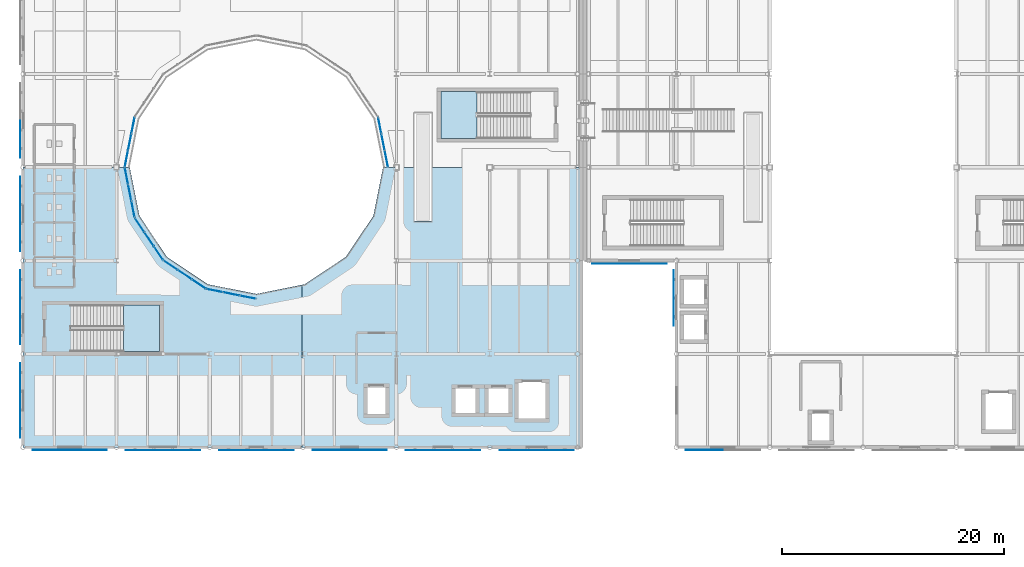
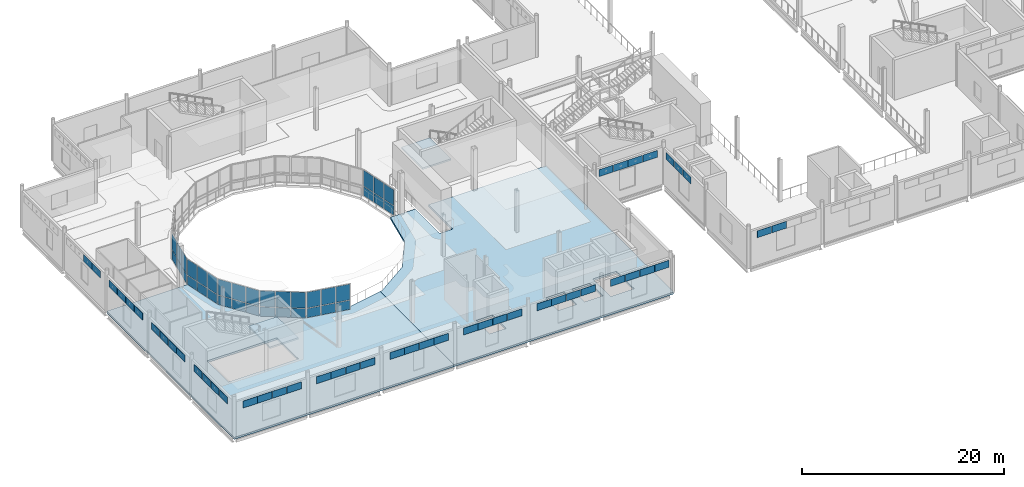
# One storey, part 59 of 104: 83 plates, 4 slabs, 8 elements without a shape of their own.
"""IFC4 building model written with IfcOpenShell, lengths in metres."""

from ifc_helpers import new_model, si_unit, direction, frame, origin, origin_2d, place, context, subcontext, project, spatial, polyline, rectangle, outline, extrude, material, layer, layer_set, type_object, element, aggregate, save


model = new_model("IFC4")

# Units and contexts
model_context = context("Model", 3, precision=1e-05, world=origin(), true_north=direction((0.0, 1.0)))
body_context = subcontext(model_context, "Body", "Model", "MODEL_VIEW")
ifc_project = project(units=[si_unit("LENGTHUNIT", "METRE"), si_unit("AREAUNIT", "SQUARE_METRE"), si_unit("VOLUMEUNIT", "CUBIC_METRE"), si_unit("PLANEANGLEUNIT", "RADIAN"), si_unit("MASSUNIT", "GRAM", prefix="KILO"), si_unit("THERMODYNAMICTEMPERATUREUNIT", "KELVIN")], contexts=[model_context])

# Site, building, storey
site_placement = place(None, origin())
site = spatial("IfcSite", under=ifc_project, at=site_placement, CompositionType="ELEMENT")
building_placement = place(site_placement, origin())
building = spatial("IfcBuilding", under=site, at=building_placement, Name="Lustrewick Department Store", CompositionType="ELEMENT")
storey_placement = place(building_placement, frame((0.0, 0.0, 11.39990234375)))
storey = spatial("IfcBuildingStorey", under=building, at=storey_placement, Name="L03", CompositionType="ELEMENT", Elevation=11.39990234375)

# Curtain wall, plates
ifc_material_1 = material(Name="Thermally broken aluminium 6063-T5", Category="aluminium")
ifc_layer_1 = layer(ifc_material_1, 0.169921875, Name="Thermally broken aluminium 6063-T5")
ifc_layer_set_1 = layer_set([ifc_layer_1], Name="Thermally broken aluminium 6063-T5")
curtain_wall_type_1 = type_object("IfcCurtainWallType", Name="CW16", PredefinedType="NOTDEFINED", material=ifc_layer_set_1)
curtain_wall_1_placement = place(storey_placement, origin())
curtain_wall_1 = element("IfcCurtainWall", 1, at=curtain_wall_1_placement, inside=storey, type_object=curtain_wall_type_1, Name="L03 Atrium Glazed Screen CW16", PredefinedType="NOTDEFINED")
ifc_material_2 = material(Name="Fire-protective atrium safety glass", Category="glass")
ifc_layer_2 = layer(ifc_material_2, 0.02490234375, Name="Fire-protective atrium safety glass")
ifc_layer_set_2 = layer_set([ifc_layer_2], Name="Fire-protective atrium safety glass")
plate_type_1 = type_object("IfcPlateType", Name="CP06", PredefinedType="CURTAIN_PANEL", material=ifc_layer_set_2)
plate_1_placement = place(storey_placement, frame((17.70361328125, 66.42822265625, 0.065185546875), z_axis=(0.0, 0.0, 1.0), x_axis=(0.195084537521, -0.980786430993, 0.0)))
plate_1 = element("IfcPlate", 2, at=plate_1_placement, type_object=plate_type_1, Name="CW16 panel 1.1", PredefinedType="CURTAIN_PANEL", context=body_context, shape_type="SweptSolid", body=[
    extrude(rectangle(XDim=1.443603515625, YDim=0.02490234375, at=origin_2d()), origin(), (0.0, 0.0, 1.0), 1.1025390625),
])
plate_2_placement = place(storey_placement, frame((17.70361328125, 66.42822265625, 1.232421875), z_axis=(0.0, 0.0, 1.0), x_axis=(0.195084537521, -0.980786430993, 0.0)))
plate_2 = element("IfcPlate", 3, at=plate_2_placement, type_object=plate_type_1, Name="CW16 panel 1.2", PredefinedType="CURTAIN_PANEL", context=body_context, shape_type="SweptSolid", body=[
    extrude(rectangle(XDim=1.443603515625, YDim=0.02490234375, at=origin_2d()), origin(), (0.0, 0.0, 1.0), 1.902587890625),
])
plate_3_placement = place(storey_placement, frame((18.0009765625, 64.9326171875, 0.065185546875), z_axis=(0.0, 0.0, 1.0), x_axis=(0.195084537521, -0.980786430993, 0.0)))
plate_3 = element("IfcPlate", 4, at=plate_3_placement, type_object=plate_type_1, Name="CW16 panel 2.1", PredefinedType="CURTAIN_PANEL", context=body_context, shape_type="SweptSolid", body=[
    extrude(rectangle(XDim=1.476318359375, YDim=0.02490234375, at=origin_2d()), origin(), (0.0, 0.0, 1.0), 1.1025390625),
])
plate_4_placement = place(storey_placement, frame((18.0009765625, 64.9326171875, 1.232421875), z_axis=(0.0, 0.0, 1.0), x_axis=(0.195084537521, -0.980786430993, 0.0)))
plate_4 = element("IfcPlate", 5, at=plate_4_placement, type_object=plate_type_1, Name="CW16 panel 2.2", PredefinedType="CURTAIN_PANEL", context=body_context, shape_type="SweptSolid", body=[
    extrude(rectangle(XDim=1.476318359375, YDim=0.02490234375, at=origin_2d()), origin(), (0.0, 0.0, 1.0), 1.902587890625),
])
plate_5_placement = place(storey_placement, frame((18.298583984375, 63.43701171875, 0.065185546875), z_axis=(0.0, 0.0, 1.0), x_axis=(0.195084537521, -0.980786430993, 0.0)))
plate_5 = element("IfcPlate", 6, at=plate_5_placement, type_object=plate_type_1, Name="CW16 panel 3.1", PredefinedType="CURTAIN_PANEL", context=body_context, shape_type="SweptSolid", body=[
    extrude(rectangle(XDim=1.443603515625, YDim=0.02490234375, at=origin_2d()), origin(), (0.0, 0.0, 1.0), 1.1025390625),
])
plate_6_placement = place(storey_placement, frame((18.298583984375, 63.43701171875, 1.232421875), z_axis=(0.0, 0.0, 1.0), x_axis=(0.195084537521, -0.980786430993, 0.0)))
plate_6 = element("IfcPlate", 7, at=plate_6_placement, type_object=plate_type_1, Name="CW16 panel 3.2", PredefinedType="CURTAIN_PANEL", context=body_context, shape_type="SweptSolid", body=[
    extrude(rectangle(XDim=1.443603515625, YDim=0.02490234375, at=origin_2d()), origin(), (0.0, 0.0, 1.0), 1.902587890625),
])
aggregate(curtain_wall_1, [plate_1, plate_2, plate_3, plate_4, plate_5, plate_6])

curtain_wall_2_placement = place(storey_placement, origin())
curtain_wall_2 = element("IfcCurtainWall", 8, at=curtain_wall_2_placement, inside=storey, type_object=curtain_wall_type_1, Name="L03 Atrium Glazed Screen CW16", PredefinedType="NOTDEFINED")
plate_7_placement = place(storey_placement, frame((25.636962890625, 56.098388671875, 0.065185546875), z_axis=(0.0, 0.0, 1.0), x_axis=(0.980786430993, -0.195084537521, 0.0)))
plate_7 = element("IfcPlate", 9, at=plate_7_placement, type_object=plate_type_1, Name="CW16 panel 1.1", PredefinedType="CURTAIN_PANEL", context=body_context, shape_type="SweptSolid", body=[
    extrude(rectangle(XDim=1.443603515625, YDim=0.02490234375, at=origin_2d()), origin(), (0.0, 0.0, 1.0), 1.1025390625),
])
plate_8_placement = place(storey_placement, frame((25.636962890625, 56.098388671875, 1.232421875), z_axis=(0.0, 0.0, 1.0), x_axis=(0.980786430993, -0.195084537521, 0.0)))
plate_8 = element("IfcPlate", 10, at=plate_8_placement, type_object=plate_type_1, Name="CW16 panel 1.2", PredefinedType="CURTAIN_PANEL", context=body_context, shape_type="SweptSolid", body=[
    extrude(rectangle(XDim=1.443603515625, YDim=0.02490234375, at=origin_2d()), origin(), (0.0, 0.0, 1.0), 1.902587890625),
])
plate_9_placement = place(storey_placement, frame((27.132568359375, 55.801025390625, 0.065185546875), z_axis=(0.0, 0.0, 1.0), x_axis=(0.980786430993, -0.195084537521, 0.0)))
plate_9 = element("IfcPlate", 11, at=plate_9_placement, type_object=plate_type_1, Name="CW16 panel 2.1", PredefinedType="CURTAIN_PANEL", context=body_context, shape_type="SweptSolid", body=[
    extrude(rectangle(XDim=1.476318359375, YDim=0.02490234375, at=origin_2d()), origin(), (0.0, 0.0, 1.0), 1.1025390625),
])
plate_10_placement = place(storey_placement, frame((27.132568359375, 55.801025390625, 1.232421875), z_axis=(0.0, 0.0, 1.0), x_axis=(0.980786430993, -0.195084537521, 0.0)))
plate_10 = element("IfcPlate", 12, at=plate_10_placement, type_object=plate_type_1, Name="CW16 panel 2.2", PredefinedType="CURTAIN_PANEL", context=body_context, shape_type="SweptSolid", body=[
    extrude(rectangle(XDim=1.476318359375, YDim=0.02490234375, at=origin_2d()), origin(), (0.0, 0.0, 1.0), 1.902587890625),
])
plate_11_placement = place(storey_placement, frame((28.628173828125, 55.50341796875, 0.065185546875), z_axis=(0.0, 0.0, 1.0), x_axis=(0.980786430993, -0.195084537521, 0.0)))
plate_11 = element("IfcPlate", 13, at=plate_11_placement, type_object=plate_type_1, Name="CW16 panel 3.1", PredefinedType="CURTAIN_PANEL", context=body_context, shape_type="SweptSolid", body=[
    extrude(rectangle(XDim=1.443603515625, YDim=0.02490234375, at=origin_2d()), origin(), (0.0, 0.0, 1.0), 1.1025390625),
])
plate_12_placement = place(storey_placement, frame((28.628173828125, 55.50341796875, 1.232421875), z_axis=(0.0, 0.0, 1.0), x_axis=(0.980786430993, -0.195084537521, 0.0)))
plate_12 = element("IfcPlate", 14, at=plate_12_placement, type_object=plate_type_1, Name="CW16 panel 3.2", PredefinedType="CURTAIN_PANEL", context=body_context, shape_type="SweptSolid", body=[
    extrude(rectangle(XDim=1.443603515625, YDim=0.02490234375, at=origin_2d()), origin(), (0.0, 0.0, 1.0), 1.902587890625),
])
aggregate(curtain_wall_2, [plate_7, plate_8, plate_9, plate_10, plate_11, plate_12])

ifc_layer_3 = layer(ifc_material_1, 0.159912109375, Name="Thermally broken aluminium 6063-T5")
ifc_layer_set_3 = layer_set([ifc_layer_3], Name="Thermally broken aluminium 6063-T5")
curtain_wall_type_2 = type_object("IfcCurtainWallType", Name="CW17", PredefinedType="NOTDEFINED", material=ifc_layer_set_3)
curtain_wall_3_placement = place(storey_placement, origin())
curtain_wall_3 = element("IfcCurtainWall", 15, at=curtain_wall_3_placement, inside=storey, type_object=curtain_wall_type_2, Name="L03 Atrium Glazed Screen CW17", PredefinedType="NOTDEFINED")
ifc_layer_4 = layer(ifc_material_2, 0.027099609375, Name="Fire-protective atrium safety glass")
ifc_layer_set_4 = layer_set([ifc_layer_4], Name="Fire-protective atrium safety glass")
plate_type_2 = type_object("IfcPlateType", Name="CP07", PredefinedType="CURTAIN_PANEL", material=ifc_layer_set_4)
plate_13_placement = place(storey_placement, frame((41.0966796875, 67.970458984375, 0.06005859375), z_axis=(0.0, 0.0, 1.0), x_axis=(-0.195084537521, 0.980786430993, 0.0)))
plate_13 = element("IfcPlate", 16, at=plate_13_placement, type_object=plate_type_2, Name="CW17 panel 1.1", PredefinedType="CURTAIN_PANEL", context=body_context, shape_type="SweptSolid", body=[
    extrude(rectangle(XDim=1.451171875, YDim=0.027099609375, at=origin_2d()), origin(), (0.0, 0.0, 1.0), 1.110107421875),
])
plate_14_placement = place(storey_placement, frame((41.0966796875, 67.970458984375, 1.22998046875), z_axis=(0.0, 0.0, 1.0), x_axis=(-0.195084537521, 0.980786430993, 0.0)))
plate_14 = element("IfcPlate", 17, at=plate_14_placement, type_object=plate_type_2, Name="CW17 panel 1.2", PredefinedType="CURTAIN_PANEL", context=body_context, shape_type="SweptSolid", body=[
    extrude(rectangle(XDim=1.451171875, YDim=0.027099609375, at=origin_2d()), origin(), (0.0, 0.0, 1.0), 1.909912109375),
])
plate_15_placement = place(storey_placement, frame((40.799072265625, 69.46728515625, 0.06005859375), z_axis=(0.0, 0.0, 1.0), x_axis=(-0.195084537521, 0.980786430993, 0.0)))
plate_15 = element("IfcPlate", 18, at=plate_15_placement, type_object=plate_type_2, Name="CW17 panel 2.1", PredefinedType="CURTAIN_PANEL", context=body_context, shape_type="SweptSolid", body=[
    extrude(rectangle(XDim=1.481201171875, YDim=0.027099609375, at=origin_2d()), origin(), (0.0, 0.0, 1.0), 1.110107421875),
])
plate_16_placement = place(storey_placement, frame((40.799072265625, 69.46728515625, 1.22998046875), z_axis=(0.0, 0.0, 1.0), x_axis=(-0.195084537521, 0.980786430993, 0.0)))
plate_16 = element("IfcPlate", 19, at=plate_16_placement, type_object=plate_type_2, Name="CW17 panel 2.2", PredefinedType="CURTAIN_PANEL", context=body_context, shape_type="SweptSolid", body=[
    extrude(rectangle(XDim=1.481201171875, YDim=0.027099609375, at=origin_2d()), origin(), (0.0, 0.0, 1.0), 1.909912109375),
])
plate_17_placement = place(storey_placement, frame((40.501220703125, 70.96435546875, 0.06005859375), z_axis=(0.0, 0.0, 1.0), x_axis=(-0.195084537521, 0.980786430993, 0.0)))
plate_17 = element("IfcPlate", 20, at=plate_17_placement, type_object=plate_type_2, Name="CW17 panel 3.1", PredefinedType="CURTAIN_PANEL", context=body_context, shape_type="SweptSolid", body=[
    extrude(rectangle(XDim=1.451171875, YDim=0.027099609375, at=origin_2d()), origin(), (0.0, 0.0, 1.0), 1.110107421875),
])
plate_18_placement = place(storey_placement, frame((40.501220703125, 70.96435546875, 1.22998046875), z_axis=(0.0, 0.0, 1.0), x_axis=(-0.195084537521, 0.980786430993, 0.0)))
plate_18 = element("IfcPlate", 21, at=plate_18_placement, type_object=plate_type_2, Name="CW17 panel 3.2", PredefinedType="CURTAIN_PANEL", context=body_context, shape_type="SweptSolid", body=[
    extrude(rectangle(XDim=1.451171875, YDim=0.027099609375, at=origin_2d()), origin(), (0.0, 0.0, 1.0), 1.909912109375),
])
aggregate(curtain_wall_3, [plate_13, plate_14, plate_15, plate_16, plate_17, plate_18])

curtain_wall_4_placement = place(storey_placement, origin())
curtain_wall_4 = element("IfcCurtainWall", 22, at=curtain_wall_4_placement, inside=storey, type_object=curtain_wall_type_2, Name="L03 Atrium Glazed Screen CW17", PredefinedType="NOTDEFINED")
plate_19_placement = place(storey_placement, frame((18.888427734375, 62.011962890625, 0.06005859375), z_axis=(0.0, 0.0, 1.0), x_axis=(0.555578313862, -0.831464212799, 0.0)))
plate_19 = element("IfcPlate", 23, at=plate_19_placement, type_object=plate_type_2, Name="CW17 panel 1.1", PredefinedType="CURTAIN_PANEL", context=body_context, shape_type="SweptSolid", body=[
    extrude(rectangle(XDim=1.451171875, YDim=0.027099609375, at=origin_2d()), origin(), (0.0, 0.0, 1.0), 1.110107421875),
])
plate_20_placement = place(storey_placement, frame((18.888427734375, 62.011962890625, 1.22998046875), z_axis=(0.0, 0.0, 1.0), x_axis=(0.555578313862, -0.831464212799, 0.0)))
plate_20 = element("IfcPlate", 24, at=plate_20_placement, type_object=plate_type_2, Name="CW17 panel 1.2", PredefinedType="CURTAIN_PANEL", context=body_context, shape_type="SweptSolid", body=[
    extrude(rectangle(XDim=1.451171875, YDim=0.027099609375, at=origin_2d()), origin(), (0.0, 0.0, 1.0), 1.909912109375),
])
plate_21_placement = place(storey_placement, frame((19.736328125, 60.742919921875, 0.06005859375), z_axis=(0.0, 0.0, 1.0), x_axis=(0.555578313862, -0.831464212799, 0.0)))
plate_21 = element("IfcPlate", 25, at=plate_21_placement, type_object=plate_type_2, Name="CW17 panel 2.1", PredefinedType="CURTAIN_PANEL", context=body_context, shape_type="SweptSolid", body=[
    extrude(rectangle(XDim=1.481201171875, YDim=0.027099609375, at=origin_2d()), origin(), (0.0, 0.0, 1.0), 1.110107421875),
])
plate_22_placement = place(storey_placement, frame((19.736328125, 60.742919921875, 1.22998046875), z_axis=(0.0, 0.0, 1.0), x_axis=(0.555578313862, -0.831464212799, 0.0)))
plate_22 = element("IfcPlate", 26, at=plate_22_placement, type_object=plate_type_2, Name="CW17 panel 2.2", PredefinedType="CURTAIN_PANEL", context=body_context, shape_type="SweptSolid", body=[
    extrude(rectangle(XDim=1.481201171875, YDim=0.027099609375, at=origin_2d()), origin(), (0.0, 0.0, 1.0), 1.909912109375),
])
plate_23_placement = place(storey_placement, frame((20.584228515625, 59.47412109375, 0.06005859375), z_axis=(0.0, 0.0, 1.0), x_axis=(0.555578313862, -0.831464212799, 0.0)))
plate_23 = element("IfcPlate", 27, at=plate_23_placement, type_object=plate_type_2, Name="CW17 panel 3.1", PredefinedType="CURTAIN_PANEL", context=body_context, shape_type="SweptSolid", body=[
    extrude(rectangle(XDim=1.451171875, YDim=0.027099609375, at=origin_2d()), origin(), (0.0, 0.0, 1.0), 1.110107421875),
])
plate_24_placement = place(storey_placement, frame((20.584228515625, 59.47412109375, 1.22998046875), z_axis=(0.0, 0.0, 1.0), x_axis=(0.555578313862, -0.831464212799, 0.0)))
plate_24 = element("IfcPlate", 28, at=plate_24_placement, type_object=plate_type_2, Name="CW17 panel 3.2", PredefinedType="CURTAIN_PANEL", context=body_context, shape_type="SweptSolid", body=[
    extrude(rectangle(XDim=1.451171875, YDim=0.027099609375, at=origin_2d()), origin(), (0.0, 0.0, 1.0), 1.909912109375),
])
aggregate(curtain_wall_4, [plate_19, plate_20, plate_21, plate_22, plate_23, plate_24])

ifc_layer_5 = layer(ifc_material_1, 0.14990234375, Name="Thermally broken aluminium 6063-T5")
ifc_layer_set_5 = layer_set([ifc_layer_5], Name="Thermally broken aluminium 6063-T5")
curtain_wall_type_3 = type_object("IfcCurtainWallType", Name="CW18", PredefinedType="NOTDEFINED", material=ifc_layer_set_5)
curtain_wall_5_placement = place(storey_placement, origin())
curtain_wall_5 = element("IfcCurtainWall", 29, at=curtain_wall_5_placement, inside=storey, type_object=curtain_wall_type_3, Name="L03 Atrium Glazed Screen CW18", PredefinedType="NOTDEFINED")
ifc_material_3 = material(Name="Fire-protective arcade safety glass", Category="glass")
ifc_layer_6 = layer(ifc_material_3, 0.029052734375, Name="Fire-protective arcade safety glass")
ifc_layer_set_6 = layer_set([ifc_layer_6], Name="Fire-protective arcade safety glass")
plate_type_3 = type_object("IfcPlateType", Name="CP08", PredefinedType="CURTAIN_PANEL", material=ifc_layer_set_6)
plate_25_placement = place(storey_placement, frame((18.298828125, 70.96435546875, 0.06005859375), z_axis=(0.0, 0.0, 1.0), x_axis=(-0.195084537521, -0.980786430993, 0.0)))
plate_25 = element("IfcPlate", 30, at=plate_25_placement, type_object=plate_type_3, Name="CW18 panel 1.1", PredefinedType="CURTAIN_PANEL", context=body_context, shape_type="SweptSolid", body=[
    extrude(rectangle(XDim=1.451171875, YDim=0.029052734375, at=origin_2d()), origin(), (0.0, 0.0, 1.0), 1.110107421875),
])
plate_26_placement = place(storey_placement, frame((18.298828125, 70.96435546875, 1.22998046875), z_axis=(0.0, 0.0, 1.0), x_axis=(-0.195084537521, -0.980786430993, 0.0)))
plate_26 = element("IfcPlate", 31, at=plate_26_placement, type_object=plate_type_3, Name="CW18 panel 1.2", PredefinedType="CURTAIN_PANEL", context=body_context, shape_type="SweptSolid", body=[
    extrude(rectangle(XDim=1.451171875, YDim=0.029052734375, at=origin_2d()), origin(), (0.0, 0.0, 1.0), 1.909912109375),
])
plate_27_placement = place(storey_placement, frame((18.0009765625, 69.46728515625, 0.06005859375), z_axis=(0.0, 0.0, 1.0), x_axis=(-0.195084537521, -0.980786430993, 0.0)))
plate_27 = element("IfcPlate", 32, at=plate_27_placement, type_object=plate_type_3, Name="CW18 panel 2.1", PredefinedType="CURTAIN_PANEL", context=body_context, shape_type="SweptSolid", body=[
    extrude(rectangle(XDim=1.481201171875, YDim=0.029052734375, at=origin_2d()), origin(), (0.0, 0.0, 1.0), 1.110107421875),
])
plate_28_placement = place(storey_placement, frame((18.0009765625, 69.46728515625, 1.22998046875), z_axis=(0.0, 0.0, 1.0), x_axis=(-0.195084537521, -0.980786430993, 0.0)))
plate_28 = element("IfcPlate", 33, at=plate_28_placement, type_object=plate_type_3, Name="CW18 panel 2.2", PredefinedType="CURTAIN_PANEL", context=body_context, shape_type="SweptSolid", body=[
    extrude(rectangle(XDim=1.481201171875, YDim=0.029052734375, at=origin_2d()), origin(), (0.0, 0.0, 1.0), 1.909912109375),
])
plate_29_placement = place(storey_placement, frame((17.703369140625, 67.970458984375, 0.06005859375), z_axis=(0.0, 0.0, 1.0), x_axis=(-0.195084537521, -0.980786430993, 0.0)))
plate_29 = element("IfcPlate", 34, at=plate_29_placement, type_object=plate_type_3, Name="CW18 panel 3.1", PredefinedType="CURTAIN_PANEL", context=body_context, shape_type="SweptSolid", body=[
    extrude(rectangle(XDim=1.451171875, YDim=0.029052734375, at=origin_2d()), origin(), (0.0, 0.0, 1.0), 1.110107421875),
])
plate_30_placement = place(storey_placement, frame((17.703369140625, 67.970458984375, 1.22998046875), z_axis=(0.0, 0.0, 1.0), x_axis=(-0.195084537521, -0.980786430993, 0.0)))
plate_30 = element("IfcPlate", 35, at=plate_30_placement, type_object=plate_type_3, Name="CW18 panel 3.2", PredefinedType="CURTAIN_PANEL", context=body_context, shape_type="SweptSolid", body=[
    extrude(rectangle(XDim=1.451171875, YDim=0.029052734375, at=origin_2d()), origin(), (0.0, 0.0, 1.0), 1.909912109375),
])
aggregate(curtain_wall_5, [plate_25, plate_26, plate_27, plate_28, plate_29, plate_30])

curtain_wall_6_placement = place(storey_placement, origin())
curtain_wall_6 = element("IfcCurtainWall", 36, at=curtain_wall_6_placement, inside=storey, type_object=curtain_wall_type_3, Name="L03 Atrium Glazed Screen CW18", PredefinedType="NOTDEFINED")
plate_31_placement = place(storey_placement, frame((21.674072265625, 58.38427734375, 0.06005859375), z_axis=(0.0, 0.0, 1.0), x_axis=(0.831464212799, -0.555578313862, 0.0)))
plate_31 = element("IfcPlate", 37, at=plate_31_placement, type_object=plate_type_3, Name="CW18 panel 1.1", PredefinedType="CURTAIN_PANEL", context=body_context, shape_type="SweptSolid", body=[
    extrude(rectangle(XDim=1.451171875, YDim=0.029052734375, at=origin_2d()), origin(), (0.0, 0.0, 1.0), 1.110107421875),
])
plate_32_placement = place(storey_placement, frame((21.674072265625, 58.38427734375, 1.22998046875), z_axis=(0.0, 0.0, 1.0), x_axis=(0.831464212799, -0.555578313862, 0.0)))
plate_32 = element("IfcPlate", 38, at=plate_32_placement, type_object=plate_type_3, Name="CW18 panel 1.2", PredefinedType="CURTAIN_PANEL", context=body_context, shape_type="SweptSolid", body=[
    extrude(rectangle(XDim=1.451171875, YDim=0.029052734375, at=origin_2d()), origin(), (0.0, 0.0, 1.0), 1.909912109375),
])
plate_33_placement = place(storey_placement, frame((22.943115234375, 57.536376953125, 0.06005859375), z_axis=(0.0, 0.0, 1.0), x_axis=(0.831464212799, -0.555578313862, 0.0)))
plate_33 = element("IfcPlate", 39, at=plate_33_placement, type_object=plate_type_3, Name="CW18 panel 2.1", PredefinedType="CURTAIN_PANEL", context=body_context, shape_type="SweptSolid", body=[
    extrude(rectangle(XDim=1.481201171875, YDim=0.029052734375, at=origin_2d()), origin(), (0.0, 0.0, 1.0), 1.110107421875),
])
plate_34_placement = place(storey_placement, frame((22.943115234375, 57.536376953125, 1.22998046875), z_axis=(0.0, 0.0, 1.0), x_axis=(0.831464212799, -0.555578313862, 0.0)))
plate_34 = element("IfcPlate", 40, at=plate_34_placement, type_object=plate_type_3, Name="CW18 panel 2.2", PredefinedType="CURTAIN_PANEL", context=body_context, shape_type="SweptSolid", body=[
    extrude(rectangle(XDim=1.481201171875, YDim=0.029052734375, at=origin_2d()), origin(), (0.0, 0.0, 1.0), 1.909912109375),
])
plate_35_placement = place(storey_placement, frame((24.2119140625, 56.6884765625, 0.06005859375), z_axis=(0.0, 0.0, 1.0), x_axis=(0.831464212799, -0.555578313862, 0.0)))
plate_35 = element("IfcPlate", 41, at=plate_35_placement, type_object=plate_type_3, Name="CW18 panel 3.1", PredefinedType="CURTAIN_PANEL", context=body_context, shape_type="SweptSolid", body=[
    extrude(rectangle(XDim=1.451171875, YDim=0.029052734375, at=origin_2d()), origin(), (0.0, 0.0, 1.0), 1.110107421875),
])
plate_36_placement = place(storey_placement, frame((24.2119140625, 56.6884765625, 1.22998046875), z_axis=(0.0, 0.0, 1.0), x_axis=(0.831464212799, -0.555578313862, 0.0)))
plate_36 = element("IfcPlate", 42, at=plate_36_placement, type_object=plate_type_3, Name="CW18 panel 3.2", PredefinedType="CURTAIN_PANEL", context=body_context, shape_type="SweptSolid", body=[
    extrude(rectangle(XDim=1.451171875, YDim=0.029052734375, at=origin_2d()), origin(), (0.0, 0.0, 1.0), 1.909912109375),
])
aggregate(curtain_wall_6, [plate_31, plate_32, plate_33, plate_34, plate_35, plate_36])

# Slabs
ifc_material_4 = material(Name="Concrete C30", Category="concrete")
ifc_layer_7 = layer(ifc_material_4, 0.239990234375, Name="Concrete C30")
ifc_layer_set_7 = layer_set([ifc_layer_7], Name="Concrete C30")
slab_type_1 = type_object("IfcSlabType", Name="FS03", PredefinedType="FLOOR", material=ifc_layer_set_7)
slab_1_placement = place(storey_placement, frame((0.0, 0.0, -0.239990234375)))
element("IfcSlab", 43, at=slab_1_placement, inside=storey, type_object=slab_type_1, Name="L03 V1 Floor Slab FS03", PredefinedType="FLOOR", context=body_context, shape_type="SweptSolid", body=[
    extrude(outline(polyline([(8.39990234375, 42.0), (33.52490234375, 42.0), (33.52490234375, 56.62060546875), (29.39990234375, 55.800048828125), (25.037353515625, 56.667724609375), (21.339111328125, 59.138916015625), (18.867919921875, 62.83740234375), (18.0, 67.199951171875), (8.39990234375, 67.199951171875), (8.39990234375, 42.0)]), holes=[polyline([(12.719970703125, 50.60009765625), (12.719970703125, 54.800048828125), (20.699951171875, 54.800048828125), (20.699951171875, 50.60009765625), (12.719970703125, 50.60009765625)])]), origin(), (0.0, 0.0, 1.0), 0.239990234375),
])
slab_2_placement = place(storey_placement, frame((0.0, 0.0, -0.239990234375)))
element("IfcSlab", 44, at=slab_2_placement, inside=storey, type_object=slab_type_1, Name="L03 V1 Floor Slab FS03", PredefinedType="FLOOR", context=body_context, shape_type="SweptSolid", body=[
    extrude(outline(polyline([(58.64990234375, 42.0), (58.64990234375, 67.199951171875), (45.14990234375, 67.199951171875), (45.14990234375, 62.35009765625), (43.64990234375, 62.35009765625), (43.64990234375, 67.199951171875), (40.800048828125, 67.199951171875), (39.93212890625, 62.83740234375), (37.4609375, 59.138916015625), (33.7626953125, 56.667724609375), (33.52490234375, 56.62060546875), (33.52490234375, 42.0), (58.64990234375, 42.0)]), holes=[polyline([(52.85009765625, 44.449951171875), (52.85009765625, 47.949951171875), (55.550048828125, 47.949951171875), (55.550048828125, 44.449951171875), (52.85009765625, 44.449951171875)]), polyline([(50.14990234375, 44.949951171875), (50.14990234375, 47.449951171875), (52.25, 47.449951171875), (52.25, 44.949951171875), (50.14990234375, 44.949951171875)]), polyline([(47.14990234375, 44.949951171875), (47.14990234375, 47.449951171875), (49.25, 47.449951171875), (49.25, 44.949951171875), (47.14990234375, 44.949951171875)]), polyline([(39.25, 44.85009765625), (39.25, 47.550048828125), (41.14990234375, 47.550048828125), (41.14990234375, 44.85009765625), (39.25, 44.85009765625)])]), origin(), (0.0, 0.0, 1.0), 0.239990234375),
])

# Stair, slab
stair_type = type_object("IfcStairType", Name="ST-H51", PredefinedType="HALF_TURN_STAIR", material=ifc_material_4)
stair_1_placement = place(storey_placement, origin())
stair_1 = element("IfcStair", 45, at=stair_1_placement, inside=storey, type_object=stair_type, Name="L03 Smoke-Proof Exit Stair ST01", PredefinedType="HALF_TURN_STAIR")
ifc_layer_8 = layer(ifc_material_4, 0.199951171875, Name="Concrete C30")
ifc_layer_set_8 = layer_set([ifc_layer_8], Name="Concrete C30")
slab_type_2 = type_object("IfcSlabType", Name="LS01", PredefinedType="LANDING", material=ifc_layer_set_8)
slab_3_placement = place(storey_placement, frame((0.0, 0.0, 2.35009765625)))
slab_3 = element("IfcSlab", 46, at=slab_3_placement, type_object=slab_type_2, Name="ST-H51 landing 1", PredefinedType="LANDING", context=body_context, shape_type="SweptSolid", body=[
    extrude(outline(polyline([(17.449951171875, 50.60009765625), (20.699951171875, 50.60009765625), (20.699951171875, 54.800048828125), (17.449951171875, 54.800048828125), (17.449951171875, 50.60009765625)])), origin(), (0.0, 0.0, 1.0), 0.199951171875),
])
aggregate(stair_1, [slab_3])

stair_2_placement = place(storey_placement, origin())
stair_2 = element("IfcStair", 47, at=stair_2_placement, inside=storey, type_object=stair_type, Name="L03 Smoke-Proof Exit Stair ST02", PredefinedType="HALF_TURN_STAIR")
slab_4_placement = place(storey_placement, frame((0.0, 0.0, 2.35009765625)))
slab_4 = element("IfcSlab", 48, at=slab_4_placement, type_object=slab_type_2, Name="ST-H51 landing 1", PredefinedType="LANDING", context=body_context, shape_type="SweptSolid", body=[
    extrude(outline(polyline([(49.25, 74.0), (46.0, 74.0), (46.0, 69.800048828125), (49.25, 69.800048828125), (49.25, 74.0)])), origin(), (0.0, 0.0, 1.0), 0.199951171875),
])
aggregate(stair_2, [slab_4])

# Plates
ifc_material_5 = material(Name="Perforated white powder-coated aluminium 3003-H24", Category="aluminium")
ifc_layer_9 = layer(ifc_material_5, 0.008056640625, Name="Perforated white powder-coated aluminium 3003-H24")
ifc_layer_set_9 = layer_set([ifc_layer_9], Name="Perforated white powder-coated aluminium 3003-H24")
plate_type_4 = type_object("IfcPlateType", Name="PS01", PredefinedType="SHEET", material=ifc_layer_set_9)
for number, where, z_axis, x_axis, name in (
    (49, (60.4560546875, 58.535888671875, 3.56689453125), (0.0, 0.0, 1.0), (1.0, 0.0, 0.0), "L03 Botanical Filigree Cassette PS01 0354"),
    (50, (62.135986328125, 58.535888671875, 3.56689453125), (0.0, 0.0, 1.0), (1.0, 0.0, 0.0), "L03 Botanical Filigree Cassette PS01 0355"),
    (51, (63.81591796875, 58.535888671875, 3.56689453125), (0.0, 0.0, 1.0), (1.0, 0.0, 0.0), "L03 Botanical Filigree Cassette PS01 0356"),
    (52, (65.49609375, 58.535888671875, 3.56689453125), (0.0, 0.0, 1.0), (1.0, 0.0, 0.0), "L03 Botanical Filigree Cassette PS01 0357"),
    (53, (66.9560546875, 57.11279296875, 3.47705078125), (0.0, 0.0, 1.0), (0.0, -1.0, 0.0), "L03 Botanical Filigree Cassette PS01 0358"),
    (54, (66.9560546875, 55.4326171875, 3.47705078125), (0.0, 0.0, 1.0), (0.0, -1.0, 0.0), "L03 Botanical Filigree Cassette PS01 0359"),
    (55, (66.9560546875, 53.752685546875, 3.47705078125), (0.0, 0.0, 1.0), (0.0, -1.0, 0.0), "L03 Botanical Filigree Cassette PS01 0360"),
):
    element("IfcPlate", number, at=place(storey_placement, frame(where, z_axis=z_axis, x_axis=x_axis)), inside=storey, type_object=plate_type_4, Name=name, PredefinedType="SHEET", context=body_context, shape_type="SweptSolid", body=[
        extrude(rectangle(XDim=1.639892578125, YDim=0.008056640625, at=origin_2d()), origin(), (0.0, 0.0, 1.0), 0.840087890625),
    ])
ifc_material_6 = material(Name="Sage-green enamelled aluminium spandrel 3003-H24", Category="aluminium")
ifc_layer_10 = layer(ifc_material_6, 0.01611328125, Name="Sage-green enamelled aluminium spandrel 3003-H24")
ifc_layer_set_10 = layer_set([ifc_layer_10], Name="Sage-green enamelled aluminium spandrel 3003-H24")
plate_type_5 = type_object("IfcPlateType", Name="PS05", PredefinedType="SHEET", material=ifc_layer_set_10)
for number, where, z_axis, x_axis, name in (
    (56, (8.152099609375, 70.5673828125, 3.56689453125), (0.0, 0.0, 1.0), (0.0, -1.0, 0.0), "L03 Botanical Filigree Cassette PS05 0243"),
    (57, (8.152099609375, 68.88720703125, 3.56689453125), (0.0, 0.0, 1.0), (0.0, -1.0, 0.0), "L03 Botanical Filigree Cassette PS05 0244"),
    (58, (8.14208984375, 65.52001953125, 3.56689453125), (0.0, 0.0, 1.0), (0.0, -1.0, 0.0), "L03 Botanical Filigree Cassette PS05 0245"),
    (59, (8.14208984375, 63.840087890625, 3.56689453125), (0.0, 0.0, 1.0), (0.0, -1.0, 0.0), "L03 Botanical Filigree Cassette PS05 0246"),
    (60, (8.14208984375, 62.159912109375, 3.56689453125), (0.0, 0.0, 1.0), (0.0, -1.0, 0.0), "L03 Botanical Filigree Cassette PS05 0247"),
    (61, (8.14208984375, 60.47998046875, 3.56689453125), (0.0, 0.0, 1.0), (0.0, -1.0, 0.0), "L03 Botanical Filigree Cassette PS05 0248"),
    (62, (8.132080078125, 57.11279296875, 3.56689453125), (0.0, 0.0, 1.0), (0.0, -1.0, 0.0), "L03 Botanical Filigree Cassette PS05 0249"),
    (63, (8.132080078125, 55.4326171875, 3.56689453125), (0.0, 0.0, 1.0), (0.0, -1.0, 0.0), "L03 Botanical Filigree Cassette PS05 0250"),
    (64, (8.132080078125, 53.752685546875, 3.56689453125), (0.0, 0.0, 1.0), (0.0, -1.0, 0.0), "L03 Botanical Filigree Cassette PS05 0251"),
    (65, (8.132080078125, 52.07275390625, 3.56689453125), (0.0, 0.0, 1.0), (0.0, -1.0, 0.0), "L03 Botanical Filigree Cassette PS05 0252"),
    (66, (8.152099609375, 48.727294921875, 3.56689453125), (0.0, 0.0, 1.0), (0.0, -1.0, 0.0), "L03 Botanical Filigree Cassette PS05 0253"),
    (67, (8.152099609375, 47.04736328125, 3.56689453125), (0.0, 0.0, 1.0), (0.0, -1.0, 0.0), "L03 Botanical Filigree Cassette PS05 0254"),
    (68, (8.152099609375, 45.3671875, 3.56689453125), (0.0, 0.0, 1.0), (0.0, -1.0, 0.0), "L03 Botanical Filigree Cassette PS05 0255"),
    (69, (8.152099609375, 43.687255859375, 3.56689453125), (0.0, 0.0, 1.0), (0.0, -1.0, 0.0), "L03 Botanical Filigree Cassette PS05 0256"),
    (70, (10.080078125, 41.751953125, 3.4111328125), (0.0, 0.0, 1.0), (1.0, 0.0, 0.0), "L03 Botanical Filigree Cassette PS05 0257"),
    (71, (11.760009765625, 41.751953125, 3.4111328125), (0.0, 0.0, 1.0), (1.0, 0.0, 0.0), "L03 Botanical Filigree Cassette PS05 0258"),
    (72, (13.43994140625, 41.751953125, 3.4111328125), (0.0, 0.0, 1.0), (1.0, 0.0, 0.0), "L03 Botanical Filigree Cassette PS05 0259"),
    (73, (15.1201171875, 41.751953125, 3.4111328125), (0.0, 0.0, 1.0), (1.0, 0.0, 0.0), "L03 Botanical Filigree Cassette PS05 0260"),
    (74, (18.47998046875, 41.741943359375, 3.4111328125), (0.0, 0.0, 1.0), (1.0, 0.0, 0.0), "L03 Botanical Filigree Cassette PS05 0261"),
    (75, (20.159912109375, 41.741943359375, 3.4111328125), (0.0, 0.0, 1.0), (1.0, 0.0, 0.0), "L03 Botanical Filigree Cassette PS05 0262"),
    (76, (21.840087890625, 41.741943359375, 3.4111328125), (0.0, 0.0, 1.0), (1.0, 0.0, 0.0), "L03 Botanical Filigree Cassette PS05 0263"),
    (77, (23.52001953125, 41.741943359375, 3.4111328125), (0.0, 0.0, 1.0), (1.0, 0.0, 0.0), "L03 Botanical Filigree Cassette PS05 0264"),
    (78, (26.8798828125, 41.73193359375, 3.4111328125), (0.0, 0.0, 1.0), (1.0, 0.0, 0.0), "L03 Botanical Filigree Cassette PS05 0265"),
    (79, (28.56005859375, 41.73193359375, 3.4111328125), (0.0, 0.0, 1.0), (1.0, 0.0, 0.0), "L03 Botanical Filigree Cassette PS05 0266"),
    (80, (30.239990234375, 41.73193359375, 3.4111328125), (0.0, 0.0, 1.0), (1.0, 0.0, 0.0), "L03 Botanical Filigree Cassette PS05 0267"),
    (81, (31.919921875, 41.73193359375, 3.4111328125), (0.0, 0.0, 1.0), (1.0, 0.0, 0.0), "L03 Botanical Filigree Cassette PS05 0268"),
    (82, (35.280029296875, 41.751953125, 3.4111328125), (0.0, 0.0, 1.0), (1.0, 0.0, 0.0), "L03 Botanical Filigree Cassette PS05 0269"),
    (83, (36.9599609375, 41.751953125, 3.4111328125), (0.0, 0.0, 1.0), (1.0, 0.0, 0.0), "L03 Botanical Filigree Cassette PS05 0270"),
    (84, (38.639892578125, 41.751953125, 3.4111328125), (0.0, 0.0, 1.0), (1.0, 0.0, 0.0), "L03 Botanical Filigree Cassette PS05 0271"),
    (85, (40.320068359375, 41.751953125, 3.4111328125), (0.0, 0.0, 1.0), (1.0, 0.0, 0.0), "L03 Botanical Filigree Cassette PS05 0272"),
    (86, (43.679931640625, 41.741943359375, 3.4111328125), (0.0, 0.0, 1.0), (1.0, 0.0, 0.0), "L03 Botanical Filigree Cassette PS05 0273"),
    (87, (45.360107421875, 41.741943359375, 3.4111328125), (0.0, 0.0, 1.0), (1.0, 0.0, 0.0), "L03 Botanical Filigree Cassette PS05 0274"),
    (88, (47.0400390625, 41.741943359375, 3.4111328125), (0.0, 0.0, 1.0), (1.0, 0.0, 0.0), "L03 Botanical Filigree Cassette PS05 0275"),
    (89, (48.719970703125, 41.741943359375, 3.4111328125), (0.0, 0.0, 1.0), (1.0, 0.0, 0.0), "L03 Botanical Filigree Cassette PS05 0276"),
    (90, (52.10400390625, 41.73193359375, 3.4111328125), (0.0, 0.0, 1.0), (1.0, 0.0, 0.0), "L03 Botanical Filigree Cassette PS05 0277"),
    (91, (53.783935546875, 41.73193359375, 3.4111328125), (0.0, 0.0, 1.0), (1.0, 0.0, 0.0), "L03 Botanical Filigree Cassette PS05 0278"),
    (92, (55.464111328125, 41.73193359375, 3.4111328125), (0.0, 0.0, 1.0), (1.0, 0.0, 0.0), "L03 Botanical Filigree Cassette PS05 0279"),
    (93, (57.14404296875, 41.73193359375, 3.4111328125), (0.0, 0.0, 1.0), (1.0, 0.0, 0.0), "L03 Botanical Filigree Cassette PS05 0280"),
    (94, (68.8798828125, 41.751953125, 3.4111328125), (0.0, 0.0, 1.0), (1.0, 0.0, 0.0), "L03 Botanical Filigree Cassette PS05 0281"),
    (95, (70.56005859375, 41.751953125, 3.4111328125), (0.0, 0.0, 1.0), (1.0, 0.0, 0.0), "L03 Botanical Filigree Cassette PS05 0282"),
):
    element("IfcPlate", number, at=place(storey_placement, frame(where, z_axis=z_axis, x_axis=x_axis)), inside=storey, type_object=plate_type_5, Name=name, PredefinedType="SHEET", context=body_context, shape_type="SweptSolid", body=[
        extrude(rectangle(XDim=1.639892578125, YDim=0.01611328125, at=origin_2d()), origin(), (0.0, 0.0, 1.0), 0.840087890625),
    ])

save(model, "model.ifc")
